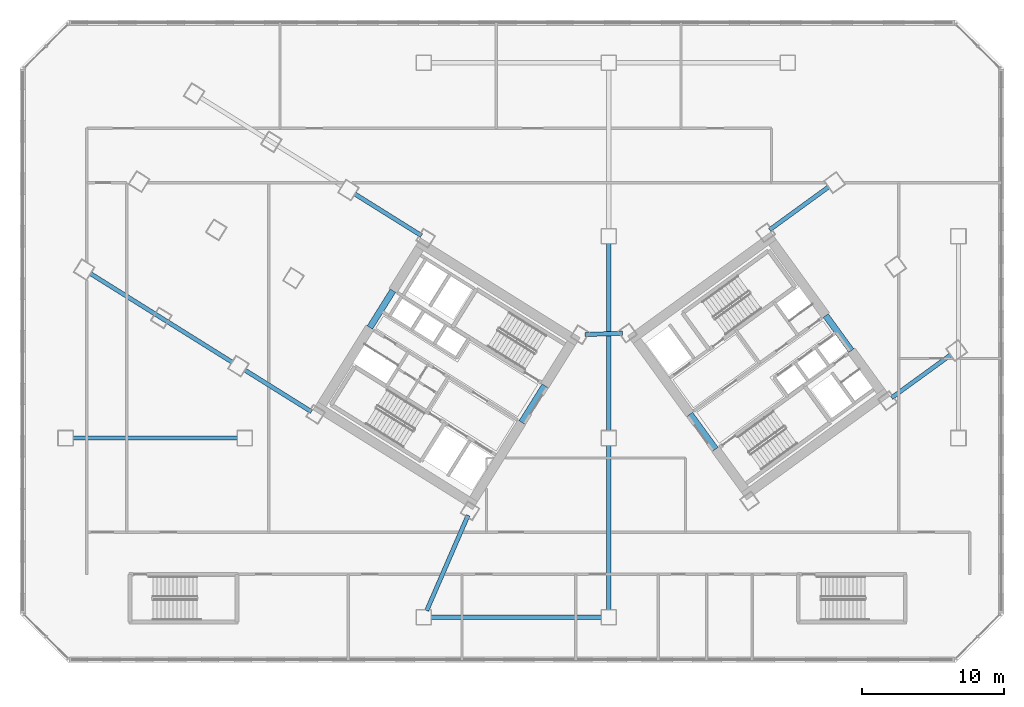
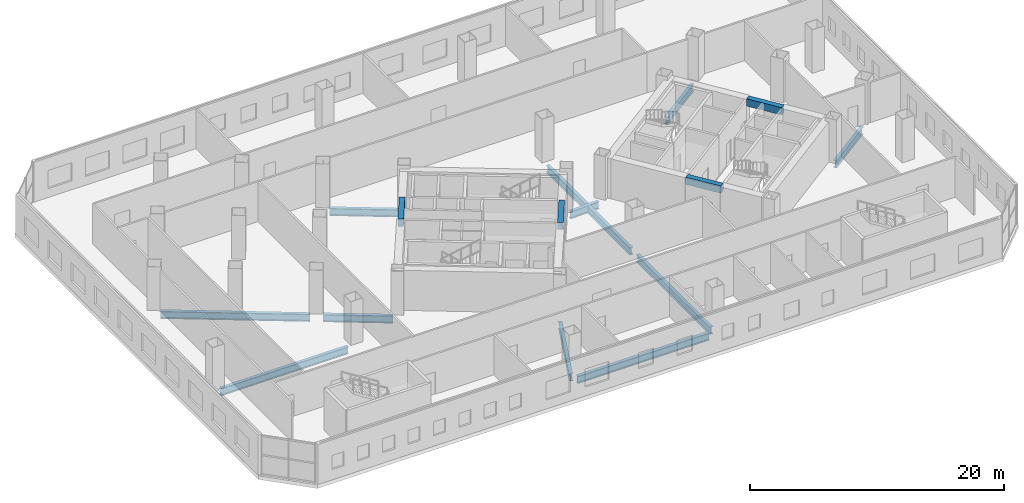
# One storey, part 3 of 22: 15 beams.
"""IFC4 building model written with IfcOpenShell, lengths in metres."""

from ifc_helpers import new_model, si_unit, direction, frame, origin, origin_2d, place, context, subcontext, project, spatial, rectangle, i_section, extrude, source, transform, mapped, material, material_profile, profile_set, type_object, element, save


model = new_model("IFC4")

# Units and contexts
model_context = context("Model", 3, precision=1e-05, world=origin(), true_north=direction((0.0, 1.0)))
body_context = subcontext(model_context, "Body", "Model", "MODEL_VIEW")
ifc_project = project(units=[si_unit("LENGTHUNIT", "METRE"), si_unit("AREAUNIT", "SQUARE_METRE"), si_unit("VOLUMEUNIT", "CUBIC_METRE"), si_unit("PLANEANGLEUNIT", "RADIAN"), si_unit("MASSUNIT", "GRAM", prefix="KILO")], contexts=[model_context])

# Site, building, storey
site_placement = place(None, origin())
site = spatial("IfcSite", under=ifc_project, at=site_placement, CompositionType="ELEMENT")
building_placement = place(site_placement, origin())
building = spatial("IfcBuilding", under=site, at=building_placement, Name="Tlacorven Tower", CompositionType="ELEMENT")
storey_placement = place(building_placement, frame((0.0, 0.0, 10.199951171875)))
storey = spatial("IfcBuildingStorey", under=building, at=storey_placement, Name="L02", CompositionType="ELEMENT", Elevation=10.199951171875)

# Beams
ifc_material_1 = material(Name="Concrete C60/75", Category="concrete")
ifc_material_profile_1 = material_profile(ifc_material_1, rectangle(XDim=0.449951171875, YDim=0.699951171875, at=origin_2d()), Name="RC 450X700")
ifc_profile_set_1 = profile_set([ifc_material_profile_1], Name="Concrete C60/75")
beam_type_1 = type_object("IfcBeamType", Name="BM-LNT-700", PredefinedType="LINTEL", material=ifc_profile_set_1)
shared_shape_1 = source(origin(), body_context, "Body", "SweptSolid", [
    extrude(rectangle(XDim=0.449951171875, YDim=0.699951171875, at=origin_2d()), origin(), (0.0, 0.0, 1.0), 3.050048828125),
])
for number, where, z_axis, x_axis, name in (
    (1, (38.2998046875, 20.890625, 3.5), (-0.529984549635, -0.848007297815, 0.0), (0.848007297815, -0.529984549635, 0.0), "L02 W core coupling lintel beam E1"),
    (2, (50.318359375, 16.416015625, 3.5), (-0.587776590479, 0.80902328748, 0.0), (-0.80902328748, -0.587776590479, 0.0), "L02 E core coupling lintel beam E1"),
    (3, (59.856689453125, 23.345947265625, 3.5), (-0.587776590479, 0.80902328748, 0.0), (-0.80902328748, -0.587776590479, 0.0), "L02 E core coupling lintel beam E2"),
):
    element("IfcBeam", number, at=place(storey_placement, frame(where, z_axis=z_axis, x_axis=x_axis)), inside=storey, type_object=beam_type_1, Name=name, PredefinedType="LINTEL", context=body_context, shape_type="MappedRepresentation", body=[
        mapped(shared_shape_1, transform((0.0, 0.0, 0.0), scale=1.0)),
    ])
shared_shape_2 = source(origin(), body_context, "Body", "SweptSolid", [
    extrude(rectangle(XDim=0.449951171875, YDim=0.699951171875, at=origin_2d()), origin(), (0.0, 0.0, 1.0), 3.0498046875),
])
beam_1_placement = place(storey_placement, frame((27.622802734375, 27.562255859375, 3.5), z_axis=(-0.529926983584, -0.848043272522, 0.0), x_axis=(0.848043272522, -0.529926983584, 0.0)))
element("IfcBeam", 4, at=beam_1_placement, inside=storey, type_object=beam_type_1, Name="L02 W core coupling lintel beam E2", PredefinedType="LINTEL", context=body_context, shape_type="MappedRepresentation", body=[
    mapped(shared_shape_2, transform((0.0, 0.0, 0.0), scale=1.0)),
])
ifc_material_2 = material(Name="Steel S355J2", Category="steel")
ifc_material_profile_2 = material_profile(ifc_material_2, i_section(OverallWidth=0.300048828125, OverallDepth=0.699951171875, WebThickness=0.01708984375, FlangeThickness=0.031982421875, at=origin_2d()), Name="HEB 700")
ifc_profile_set_2 = profile_set([ifc_material_profile_2], Name="Steel S355J2")
beam_type_2 = type_object("IfcBeamType", Name="BM-POD-700", PredefinedType="BEAM", material=ifc_profile_set_2)
shared_shape_3 = source(origin(), body_context, "Body", "SweptSolid", [
    extrude(i_section(OverallWidth=0.300048828125, OverallDepth=0.699951171875, WebThickness=0.01708984375, FlangeThickness=0.031982421875, at=origin_2d()), origin(), (0.0, 0.0, 1.0), 11.97998046875),
])
beam_2_placement = place(storey_placement, frame((30.31005859375, 4.60009765625, -0.699951171875), z_axis=(1.0, 0.0, 0.0), x_axis=(0.0, 1.0, 0.0)))
element("IfcBeam", 5, at=beam_2_placement, inside=storey, type_object=beam_type_2, Name="L02 beam BM-L02-GX1-1", PredefinedType="BEAM", context=body_context, shape_type="MappedRepresentation", body=[
    mapped(shared_shape_3, transform((0.0, 0.0, 0.0), scale=1.0)),
])
shared_shape_4 = source(origin(), body_context, "Body", "SweptSolid", [
    extrude(i_section(OverallWidth=0.300048828125, OverallDepth=0.699951171875, WebThickness=0.01708984375, FlangeThickness=0.031982421875, at=origin_2d()), origin(), (0.0, 0.0, 1.0), 11.579833984375),
])
for number, where, z_axis, x_axis, name in (
    (6, (5.110107421875, 17.199951171875, -0.699951171875), (1.0, 0.0, 0.0), (0.0, 1.0, 0.0), "L02 beam BM-L02-GX2-1"),
    (7, (42.800048828125, 5.110107421875, -0.699951171875), (0.0, 1.0, 0.0), (-1.0, 0.0, 0.0), "L02 beam BM-L02-GY4-1"),
):
    element("IfcBeam", number, at=place(storey_placement, frame(where, z_axis=z_axis, x_axis=x_axis)), inside=storey, type_object=beam_type_2, Name=name, PredefinedType="BEAM", context=body_context, shape_type="MappedRepresentation", body=[
        mapped(shared_shape_4, transform((0.0, 0.0, 0.0), scale=1.0)),
    ])
shared_shape_5 = source(origin(), body_context, "Body", "SweptSolid", [
    extrude(i_section(OverallWidth=0.300048828125, OverallDepth=0.699951171875, WebThickness=0.01708984375, FlangeThickness=0.031982421875, at=origin_2d()), origin(), (0.0, 0.0, 1.0), 13.179931640625),
])
beam_3_placement = place(storey_placement, frame((42.800048828125, 17.7099609375, -0.699951171875), z_axis=(0.0, 1.0, 0.0), x_axis=(-1.0, 0.0, 0.0)))
element("IfcBeam", 8, at=beam_3_placement, inside=storey, type_object=beam_type_2, Name="L02 beam BM-L02-GY4-2", PredefinedType="BEAM", context=body_context, shape_type="MappedRepresentation", body=[
    mapped(shared_shape_5, transform((0.0, 0.0, 0.0), scale=1.0)),
])
shared_shape_6 = source(origin(), body_context, "Body", "SweptSolid", [
    extrude(i_section(OverallWidth=0.300048828125, OverallDepth=0.699951171875, WebThickness=0.01708984375, FlangeThickness=0.031982421875, at=origin_2d()), origin(), (0.0, 0.0, 1.0), 5.5400390625),
])
for number, where, z_axis, x_axis, name in (
    (9, (29.631103515625, 31.436767578125, -0.699951171875), (-0.848047815099, 0.529919714018, 0.0), (-0.529919714018, -0.848047815099, 0.0), "L02 beam BM-L02-WTG2-1"),
    (10, (21.894287109375, 19.055419921875, -0.699951171875), (-0.848067619083, 0.529888019739, 0.0), (-0.529888019739, -0.848067619083, 0.0), "L02 beam BM-L02-WTG2-2"),
):
    element("IfcBeam", number, at=place(storey_placement, frame(where, z_axis=z_axis, x_axis=x_axis)), inside=storey, type_object=beam_type_2, Name=name, PredefinedType="BEAM", context=body_context, shape_type="MappedRepresentation", body=[
        mapped(shared_shape_6, transform((0.0, 0.0, 0.0), scale=1.0)),
    ])
shared_shape_7 = source(origin(), body_context, "Body", "SweptSolid", [
    extrude(i_section(OverallWidth=0.300048828125, OverallDepth=0.699951171875, WebThickness=0.01708984375, FlangeThickness=0.031982421875, at=origin_2d()), origin(), (0.0, 0.0, 1.0), 11.780029296875),
])
beam_4_placement = place(storey_placement, frame((16.3310546875, 22.531494140625, -0.699951171875), z_axis=(-0.848048366356, 0.529918831823, 0.0), x_axis=(-0.529918831823, -0.848048366356, 0.0)))
element("IfcBeam", 11, at=beam_4_placement, inside=storey, type_object=beam_type_2, Name="L02 beam BM-L02-WTG3-2", PredefinedType="BEAM", context=body_context, shape_type="MappedRepresentation", body=[
    mapped(shared_shape_7, transform((0.0, 0.0, 0.0), scale=1.0)),
])
shared_shape_8 = source(origin(), body_context, "Body", "SweptSolid", [
    extrude(i_section(OverallWidth=0.300048828125, OverallDepth=0.699951171875, WebThickness=0.01708984375, FlangeThickness=0.031982421875, at=origin_2d()), origin(), (0.0, 0.0, 1.0), 5.14013671875),
])
for number, where, z_axis, x_axis, name in (
    (12, (62.69677734375, 20.032470703125, -0.699951171875), (0.809021486305, 0.587779069631, 0.0), (-0.587779069631, 0.809021486305, 0.0), "L02 beam BM-L02-ETG2-1"),
    (13, (54.114990234375, 31.84423828125, -0.699951171875), (0.809021486305, 0.587779069631, 0.0), (-0.587779069631, 0.809021486305, 0.0), "L02 beam BM-L02-ETG2-2"),
):
    element("IfcBeam", number, at=place(storey_placement, frame(where, z_axis=z_axis, x_axis=x_axis)), inside=storey, type_object=beam_type_2, Name=name, PredefinedType="BEAM", context=body_context, shape_type="MappedRepresentation", body=[
        mapped(shared_shape_8, transform((0.0, 0.0, 0.0), scale=1.0)),
    ])
shared_shape_9 = source(origin(), body_context, "Body", "SweptSolid", [
    extrude(i_section(OverallWidth=0.300048828125, OverallDepth=0.699951171875, WebThickness=0.01708984375, FlangeThickness=0.031982421875, at=origin_2d()), origin(), (0.0, 0.0, 1.0), 2.642822265625),
])
beam_5_placement = place(storey_placement, frame((41.1328125, 24.480712890625, -0.699951171875), z_axis=(0.999393314814, 0.034828182629, 0.0), x_axis=(-0.034828182629, 0.999393314814, 0.0)))
element("IfcBeam", 14, at=beam_5_placement, inside=storey, type_object=beam_type_2, Name="L02 beam BM-L02-PKNK1", PredefinedType="BEAM", context=body_context, shape_type="MappedRepresentation", body=[
    mapped(shared_shape_9, transform((0.0, 0.0, 0.0), scale=1.0)),
])
shared_shape_10 = source(origin(), body_context, "Body", "SweptSolid", [
    extrude(i_section(OverallWidth=0.300048828125, OverallDepth=0.699951171875, WebThickness=0.01708984375, FlangeThickness=0.031982421875, at=origin_2d()), origin(), (0.0, 0.0, 1.0), 7.300537109375),
])
beam_6_placement = place(storey_placement, frame((32.906982421875, 11.765869140625, -0.699951171875), z_axis=(-0.397790436874, -0.917476303962, 0.0), x_axis=(0.917476303962, -0.397790436874, 0.0)))
element("IfcBeam", 15, at=beam_6_placement, inside=storey, type_object=beam_type_2, Name="L02 beam BM-L02-PKNK2", PredefinedType="BEAM", context=body_context, shape_type="MappedRepresentation", body=[
    mapped(shared_shape_10, transform((0.0, 0.0, 0.0), scale=1.0)),
])

save(model, "model.ifc")
